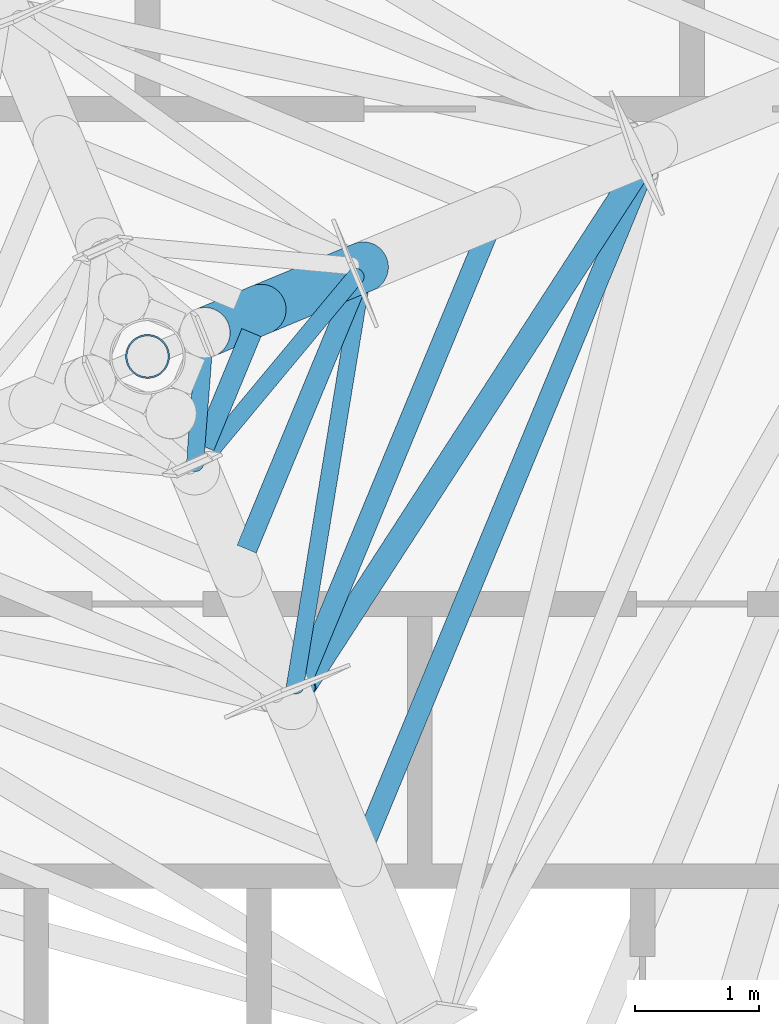
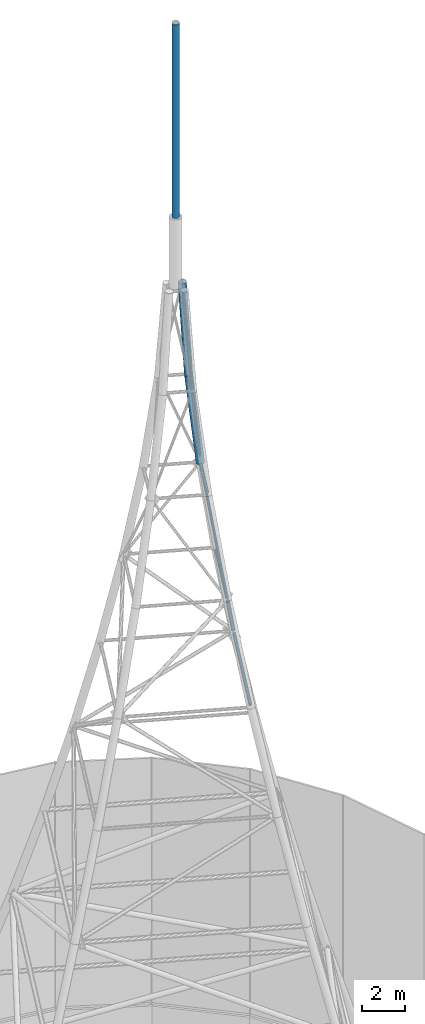
# One storey, part 13 of 25: 11 members.
"""IFC4 building model written with IfcOpenShell, lengths in metres."""

from ifc_helpers import new_model, si_unit, direction, frame, origin, origin_2d, place, context, subcontext, project, spatial, hollow_circle, extrude, material, material_profile, profile_set, type_object, element, save


model = new_model("IFC4")

# Units and contexts
model_context = context("Model", 3, precision=1e-05, world=origin(), true_north=direction((0.0, 1.0)))
body_context = subcontext(model_context, "Body", "Model", "MODEL_VIEW")
ifc_project = project(units=[si_unit("LENGTHUNIT", "METRE"), si_unit("AREAUNIT", "SQUARE_METRE"), si_unit("VOLUMEUNIT", "CUBIC_METRE"), si_unit("PLANEANGLEUNIT", "RADIAN"), si_unit("MASSUNIT", "GRAM", prefix="KILO")], contexts=[model_context])

# Site, building, storey
site_placement = place(None, origin())
site = spatial("IfcSite", under=ifc_project, at=site_placement, CompositionType="ELEMENT")
building_placement = place(site_placement, origin())
building = spatial("IfcBuilding", under=site, at=building_placement, Name="Nagisa Residences", CompositionType="ELEMENT")
storey_placement = place(building_placement, frame((0.0, 0.0, 340.89990234375)))
storey = spatial("IfcBuildingStorey", under=building, at=storey_placement, Name="L84", CompositionType="ELEMENT", Elevation=340.89990234375)

# Members
ifc_material_1 = material(Name="Steel ASTM A572 Gr 50", Category="steel")
ifc_material_profile_1 = material_profile(ifc_material_1, hollow_circle(Radius=0.06982421875, WallThickness=0.0048828125, at=origin_2d()), Name="MAST BRACE CHS 139.7x5")
ifc_profile_set_1 = profile_set([ifc_material_profile_1], Name="Steel ASTM A572 Gr 50")
member_type_1 = type_object("IfcMemberType", Name="MAST BRACE CHS 139.7x5", PredefinedType="BRACE", material=ifc_profile_set_1)
member_1_placement = place(storey_placement, frame((1.191162109375, -2.66943359375, 42.72998046875), z_axis=(0.088079959785, 0.53914997033, 0.83759132647), x_axis=(-0.986916727175, 0.161230808541, 0.0)))
element("IfcMember", 1, at=member_1_placement, inside=storey, type_object=member_type_1, Name="Mast brace 8.4", PredefinedType="BRACE", context=body_context, shape_type="SweptSolid", body=[
    extrude(hollow_circle(Radius=0.06982421875, WallThickness=0.0048828125, at=origin_2d()), origin(), (0.0, 0.0, 1.0), 6.017578125),
])
member_2_placement = place(storey_placement, frame((1.681884765625, 0.646728515625, 48.255859375), z_axis=(-0.231412076, -0.27808686972, 0.932263988348), x_axis=(0.768665595025, -0.639650844621, 0.0)))
element("IfcMember", 2, at=member_2_placement, inside=storey, type_object=member_type_1, Name="Mast brace 9.4", PredefinedType="BRACE", context=body_context, shape_type="SweptSolid", body=[
    extrude(hollow_circle(Radius=0.06982421875, WallThickness=0.0048828125, at=origin_2d()), origin(), (0.0, 0.0, 1.0), 5.35107421875),
])
member_3_placement = place(storey_placement, frame((0.38427734375, -0.86328125, 53.76904296875), z_axis=(0.015093673855, 0.197809105917, 0.980124348553), x_axis=(-0.997101482326, 0.07608307264, 0.0)))
element("IfcMember", 3, at=member_3_placement, inside=storey, type_object=member_type_1, Name="Mast brace 10.4", PredefinedType="BRACE", context=body_context, shape_type="SweptSolid", body=[
    extrude(hollow_circle(Radius=0.06982421875, WallThickness=0.0048828125, at=origin_2d()), origin(), (0.0, 0.0, 1.0), 5.062744140625),
])
ifc_material_2 = material(Name="Steel ASTM A572 Gr 50", Category="steel")
ifc_material_profile_2 = material_profile(ifc_material_2, hollow_circle(Radius=0.096923828125, WallThickness=0.008056640625, at=origin_2d()), Name="MAST BRACE CHS 193.7x8")
ifc_profile_set_2 = profile_set([ifc_material_profile_2], Name="Steel ASTM A572 Gr 50")
member_type_2 = type_object("IfcMemberType", Name="MAST BRACE CHS 193.7x8", PredefinedType="BRACE", material=ifc_profile_set_2)
member_4_placement = place(storey_placement, frame((3.982666015625, 1.531982421875, 37.1962890625), z_axis=(-0.379737291181, -0.5865994028, 0.715332601188), x_axis=(0.839457240093, -0.543425746589, 0.0)))
element("IfcMember", 4, at=member_4_placement, inside=storey, type_object=member_type_2, Name="Mast brace 7.4", PredefinedType="BRACE", context=body_context, shape_type="SweptSolid", body=[
    extrude(hollow_circle(Radius=0.096923828125, WallThickness=0.008056640625, at=origin_2d()), origin(), (0.0, 0.0, 1.0), 7.140380859375),
])
ifc_material_3 = material(Name="Steel ASTM A572 Gr 50", Category="steel")
ifc_material_profile_3 = material_profile(ifc_material_3, hollow_circle(Radius=0.203125, WallThickness=0.01611328125, at=origin_2d()), Name="MAST LEG CHS 406.4x16")
ifc_profile_set_3 = profile_set([ifc_material_profile_3], Name="Steel ASTM A572 Gr 50")
member_type_3 = type_object("IfcMemberType", Name="MAST LEG CHS 406.4x16", PredefinedType="CHORD", material=ifc_profile_set_3)
member_5_placement = place(storey_placement, frame((1.745361328125, 0.722900390625, 48.0), z_axis=(-0.148565133269, -0.061511485435, 0.986987709314), x_axis=(0.382544309655, -0.923937146753, 0.0)))
element("IfcMember", 5, at=member_5_placement, inside=storey, type_object=member_type_3, Name="Mast leg 1 segment 9", PredefinedType="CHORD", context=body_context, shape_type="SweptSolid", body=[
    extrude(hollow_circle(Radius=0.203125, WallThickness=0.01611328125, at=origin_2d()), origin(), (0.0, 0.0, 1.0), 5.572509765625),
])
member_6_placement = place(storey_placement, frame((0.91748046875, 0.380126953125, 53.5), z_axis=(-0.08201679019, -0.034000491459, 0.996050808296), x_axis=(0.382952836519, -0.923767895633, 0.0)))
element("IfcMember", 6, at=member_6_placement, inside=storey, type_object=member_type_3, Name="Mast leg 1 segment 10", PredefinedType="CHORD", context=body_context, shape_type="SweptSolid", body=[
    extrude(hollow_circle(Radius=0.203125, WallThickness=0.01611328125, at=origin_2d()), origin(), (0.0, 0.0, 1.0), 5.521728515625),
])
ifc_material_4 = material(Name="Steel ASTM A572 Gr 50", Category="steel")
ifc_material_profile_4 = material_profile(ifc_material_4, hollow_circle(Radius=0.084228515625, WallThickness=0.00634765625, at=origin_2d()), Name="MAST RING CHS 168.3x6.3")
ifc_profile_set_4 = profile_set([ifc_material_profile_4], Name="Steel ASTM A572 Gr 50")
member_type_4 = type_object("IfcMemberType", Name="MAST RING CHS 168.3x6.3", PredefinedType="STRUT", material=ifc_profile_set_4)
member_7_placement = place(storey_placement, frame((1.7705078125, -3.89892578125, 37.0), z_axis=(0.382697069744, 0.923873883606, 0.0), x_axis=(-0.923873883606, 0.382697069744, 0.0)))
element("IfcMember", 7, at=member_7_placement, inside=storey, type_object=member_type_4, Name="Mast ring 6 side 4", PredefinedType="STRUT", context=body_context, shape_type="SweptSolid", body=[
    extrude(hollow_circle(Radius=0.084228515625, WallThickness=0.00634765625, at=origin_2d()), origin(), (0.0, 0.0, 1.0), 5.849365234375),
])
member_8_placement = place(storey_placement, frame((1.24462890625, -2.629638671875, 42.5), z_axis=(0.382688506801, 0.923877430595, 0.0), x_axis=(-0.923877430595, 0.382688506801, 0.0)))
element("IfcMember", 8, at=member_8_placement, inside=storey, type_object=member_type_4, Name="Mast ring 7 side 4", PredefinedType="STRUT", context=body_context, shape_type="SweptSolid", body=[
    extrude(hollow_circle(Radius=0.084228515625, WallThickness=0.00634765625, at=origin_2d()), origin(), (0.0, 0.0, 1.0), 3.90625),
])
member_9_placement = place(storey_placement, frame((0.80078125, -1.5576171875, 48.0), z_axis=(0.382624676871, 0.923903867645, 0.0), x_axis=(-0.923903867645, 0.382624676871, 0.0)))
element("IfcMember", 9, at=member_9_placement, inside=storey, type_object=member_type_4, Name="Mast ring 8 side 4", PredefinedType="STRUT", context=body_context, shape_type="SweptSolid", body=[
    extrude(hollow_circle(Radius=0.084228515625, WallThickness=0.00634765625, at=origin_2d()), origin(), (0.0, 0.0, 1.0), 2.26513671875),
])
member_10_placement = place(storey_placement, frame((0.457763671875, -0.729736328125, 53.5), z_axis=(0.382582243088, 0.92392143999, 0.0), x_axis=(-0.92392143999, 0.382582243088, 0.0)))
element("IfcMember", 10, at=member_10_placement, inside=storey, type_object=member_type_4, Name="Mast ring 9 side 4", PredefinedType="STRUT", context=body_context, shape_type="SweptSolid", body=[
    extrude(hollow_circle(Radius=0.084228515625, WallThickness=0.00634765625, at=origin_2d()), origin(), (0.0, 0.0, 1.0), 0.998046875),
])
ifc_material_5 = material(Name="Steel ASTM A572 Gr 50", Category="steel")
ifc_material_profile_5 = material_profile(ifc_material_5, hollow_circle(Radius=0.177734375, WallThickness=0.012451171875, at=origin_2d()), Name="SPIRE UPPER CHS 355.6x12.5")
ifc_profile_set_5 = profile_set([ifc_material_profile_5], Name="Steel ASTM A572 Gr 50")
member_type_5 = type_object("IfcMemberType", Name="SPIRE UPPER CHS 355.6x12.5", PredefinedType="POST", material=ifc_profile_set_5)
member_11_placement = place(storey_placement, frame((0.0, 0.0, 63.0), z_axis=(0.0, 0.0, 1.0), x_axis=(1.0, 0.0, 0.0)))
element("IfcMember", 11, at=member_11_placement, inside=storey, type_object=member_type_5, Name="Spire upper", PredefinedType="POST", context=body_context, shape_type="SweptSolid", body=[
    extrude(hollow_circle(Radius=0.177734375, WallThickness=0.012451171875, at=origin_2d()), origin(), (0.0, 0.0, 1.0), 11.0),
])

save(model, "model.ifc")
